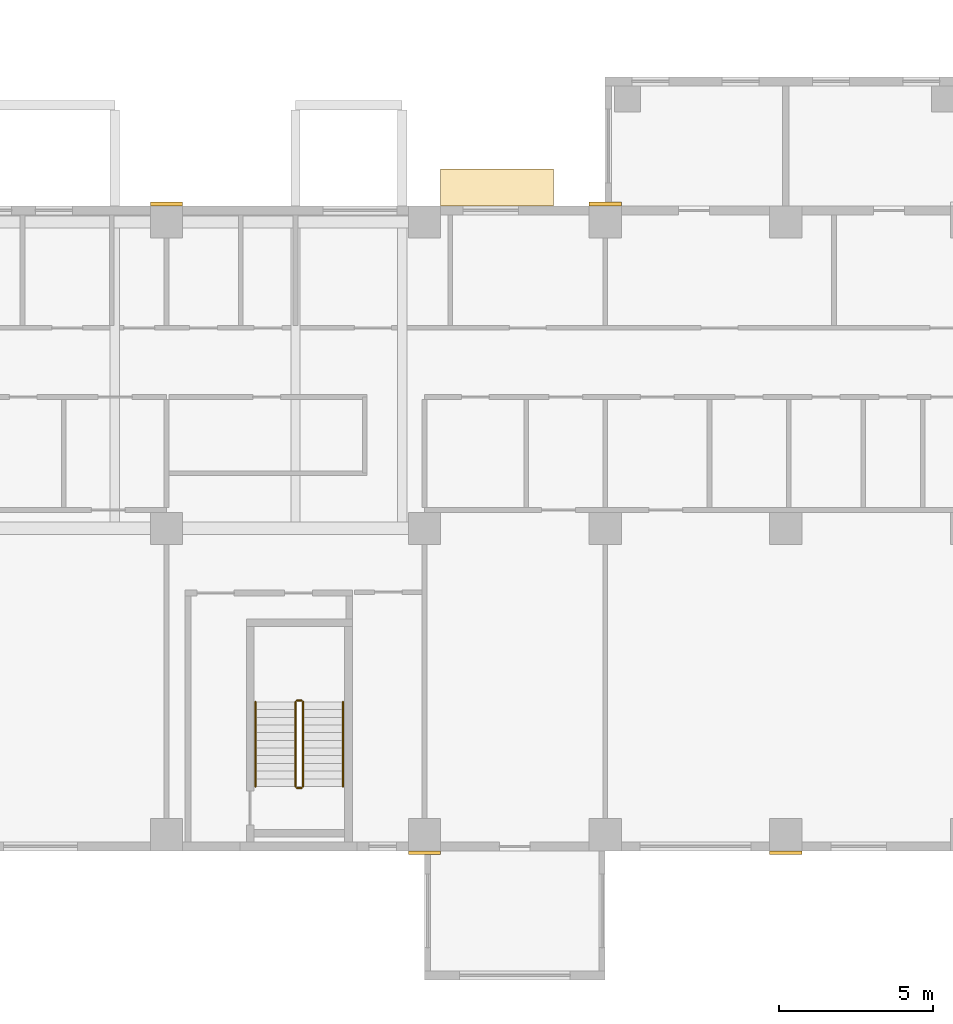
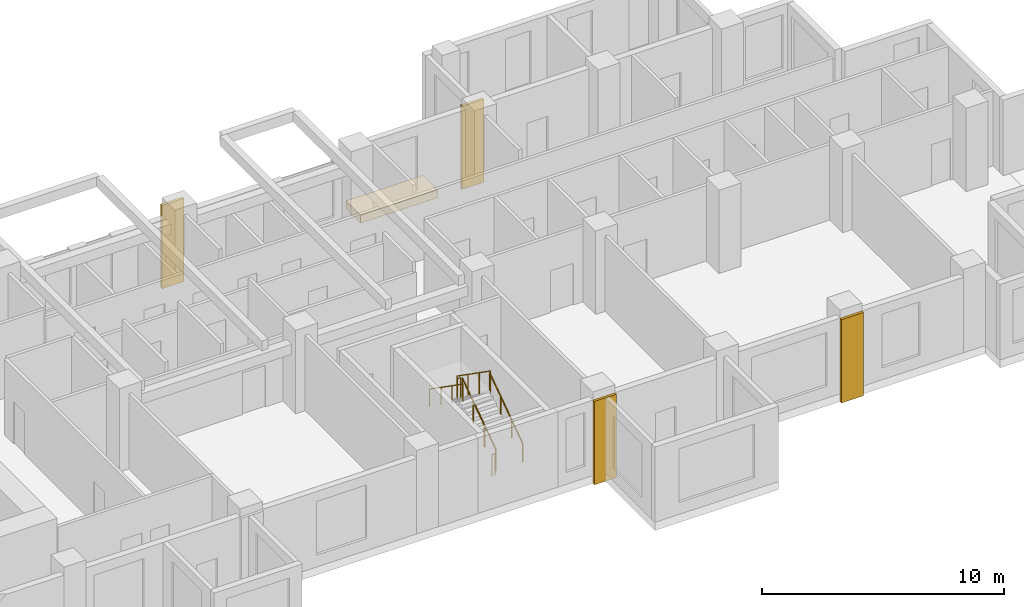
# One storey, part 12 of 14: 6 railings, 5 coverings.
"""IFC4 building model written with IfcOpenShell, lengths in metres."""

from ifc_helpers import new_model, si_unit, direction, frame, origin, origin_2d, place, context, subcontext, project, spatial, polyline, rectangle, circle, outline, extrude, source, transform, mapped, material, type_object, element, save


model = new_model("IFC4")

# Units and contexts
model_context = context("Model", 3, precision=1e-05, world=origin(), true_north=direction((0.0, 1.0)))
body_context = subcontext(model_context, "Body", "Model", "MODEL_VIEW")
ifc_project = project(units=[si_unit("LENGTHUNIT", "METRE"), si_unit("AREAUNIT", "SQUARE_METRE"), si_unit("VOLUMEUNIT", "CUBIC_METRE"), si_unit("PLANEANGLEUNIT", "RADIAN"), si_unit("MASSUNIT", "GRAM", prefix="KILO")], contexts=[model_context])

# Site, building, storey
site_placement = place(None, origin())
site = spatial("IfcSite", under=ifc_project, at=site_placement, CompositionType="ELEMENT")
building_placement = place(site_placement, origin())
building = spatial("IfcBuilding", under=site, at=building_placement, Name="Aurelian Terraces", CompositionType="ELEMENT")
storey_placement = place(building_placement, frame((0.0, 0.0, 132.9)))
storey = spatial("IfcBuildingStorey", under=building, at=storey_placement, Name="L29", CompositionType="ELEMENT", Elevation=132.9)

# Coverings
ifc_material_1 = material(Name="Terracotta rainscreen cladding relief", Category="masonry")
covering_type_1 = type_object("IfcCoveringType", Name="BAGUETTE-TC", PredefinedType="CLADDING", material=ifc_material_1)
shared_shape_1 = source(origin(), body_context, "Body", "SweptSolid", [
    extrude(rectangle(XDim=1.05, YDim=0.12, at=origin_2d()), origin(), (0.0, 0.0, 1.0), 4.2),
])
for number, where, z_axis, x_axis, name in (
    (1, (46.2, -0.06, -0.4), (0.0, 0.0, 1.0), (1.0, 0.0, 0.0), "BAGUETTE pier L29 3"),
    (2, (57.96, -0.06, -0.4), (0.0, 0.0, 1.0), (1.0, 0.0, 0.0), "BAGUETTE pier L29 4"),
    (3, (37.8, 21.06, -0.4), (0.0, 0.0, 1.0), (1.0, 0.0, 0.0), "BAGUETTE pier L29 7"),
    (4, (52.08, 21.06, -0.4), (0.0, 0.0, 1.0), (1.0, 0.0, 0.0), "BAGUETTE pier L29 8"),
):
    element("IfcCovering", number, at=place(storey_placement, frame(where, z_axis=z_axis, x_axis=x_axis)), inside=storey, type_object=covering_type_1, Name=name, PredefinedType="CLADDING", context=body_context, shape_type="MappedRepresentation", body=[
        mapped(shared_shape_1, transform((0.0, 0.0, 0.0), scale=1.0)),
    ])
ifc_material_2 = material(Name="Terracotta roof tiles on membrane", Category="masonry")
covering_type_2 = type_object("IfcCoveringType", Name="Bay roof cover", PredefinedType="ROOFING", material=ifc_material_2)
shared_shape_2 = source(origin(), body_context, "Body", "SweptSolid", [
    extrude(outline(polyline([(46.725, 21.0), (46.725, 22.2), (50.4, 22.2), (50.4, 21.0), (46.725, 21.0)])), origin(), (0.0, 0.0, 1.0), 0.4),
])
covering_placement = place(storey_placement, frame((0.0, 0.0, -0.4)))
element("IfcCovering", 5, at=covering_placement, inside=storey, type_object=covering_type_2, Name="Bay roof L29 46.73_21.00_50.40_22.20", PredefinedType="ROOFING", context=body_context, shape_type="MappedRepresentation", body=[
    mapped(shared_shape_2, transform((0.0, 0.0, 0.0), scale=1.0)),
])

# Railings
ifc_material_3 = material(Name="Stainless steel", Category="steel")
railing_type_1 = type_object("IfcRailingType", Name="Stair guard 1100", PredefinedType="GUARDRAIL", material=ifc_material_3)
shared_shape_3 = source(origin(), body_context, "Body", "SweptSolid", [
    extrude(circle(Radius=0.024, at=origin_2d()), frame((0.0, 0.0, 1.076), z_axis=(-1.0, 0.0, 0.0), x_axis=(0.0, -1.0, 0.0)), (0.0, 0.0, 1.0), 0.15),
    extrude(circle(Radius=0.021, at=origin_2d()), origin(), (0.0, 0.0, 1.0), 1.052),
    extrude(circle(Radius=0.021, at=origin_2d()), frame((-0.15, 0.0, 0.0)), (0.0, 0.0, 1.0), 1.052),
])
for number, where, name in (
    (6, (42.2, 4.9, 2.1), "L29 S2 stair guard 2"),
    (7, (42.2, 2.05, 0.0), "L29 S2 stair guard 4"),
):
    element("IfcRailing", number, at=place(storey_placement, frame(where)), inside=storey, type_object=railing_type_1, Name=name, PredefinedType="GUARDRAIL", context=body_context, shape_type="MappedRepresentation", body=[
        mapped(shared_shape_3, transform((0.0, 0.0, 0.0), scale=1.0)),
    ])
shared_shape_4 = source(origin(), body_context, "Body", "SweptSolid", [
    extrude(circle(Radius=0.024, at=origin_2d()), frame((0.0, 0.0, 1.076), z_axis=(0.0, 0.819231920519, 0.573462344363), x_axis=(-1.0, 0.0, 0.0)), (0.0, 0.0, 1.0), 3.3568),
    extrude(circle(Radius=0.021, at=origin_2d()), origin(), (0.0, 0.0, 1.0), 1.052),
    extrude(circle(Radius=0.021, at=origin_2d()), frame((0.0, 0.9167, 0.6417)), (0.0, 0.0, 1.0), 1.052),
    extrude(circle(Radius=0.021, at=origin_2d()), frame((0.0, 1.8333, 1.2833)), (0.0, 0.0, 1.0), 1.052),
    extrude(circle(Radius=0.021, at=origin_2d()), frame((0.0, 2.75, 1.925)), (0.0, 0.0, 1.0), 1.052),
])
railing_1_placement = place(storey_placement, frame((42.25, 2.1, 0.175)))
element("IfcRailing", 8, at=railing_1_placement, inside=storey, type_object=railing_type_1, Name="L29 S2 stair guard 1", PredefinedType="GUARDRAIL", context=body_context, shape_type="MappedRepresentation", body=[
    mapped(shared_shape_4, transform((0.0, 0.0, 0.0), scale=1.0)),
])
shared_shape_5 = source(origin(), body_context, "Body", "SweptSolid", [
    extrude(circle(Radius=0.024, at=origin_2d()), frame((0.0, 0.0, 1.076), z_axis=(0.0, -0.819231920519, 0.573462344363), x_axis=(1.0, 0.0, 0.0)), (0.0, 0.0, 1.0), 3.3568),
    extrude(circle(Radius=0.021, at=origin_2d()), origin(), (0.0, 0.0, 1.0), 1.052),
    extrude(circle(Radius=0.021, at=origin_2d()), frame((0.0, -0.9167, 0.6417)), (0.0, 0.0, 1.0), 1.052),
    extrude(circle(Radius=0.021, at=origin_2d()), frame((0.0, -1.8333, 1.2833)), (0.0, 0.0, 1.0), 1.052),
    extrude(circle(Radius=0.021, at=origin_2d()), frame((0.0, -2.75, 1.925)), (0.0, 0.0, 1.0), 1.052),
])
railing_2_placement = place(storey_placement, frame((42.0, 4.85, 2.275)))
element("IfcRailing", 9, at=railing_2_placement, inside=storey, type_object=railing_type_1, Name="L29 S2 stair guard 3", PredefinedType="GUARDRAIL", context=body_context, shape_type="MappedRepresentation", body=[
    mapped(shared_shape_5, transform((0.0, 0.0, 0.0), scale=1.0)),
])
railing_type_2 = type_object("IfcRailingType", Name="Stair handrail", PredefinedType="HANDRAIL", material=ifc_material_3)
shared_shape_6 = source(origin(), body_context, "Body", "SweptSolid", [
    extrude(circle(Radius=0.024, at=origin_2d()), frame((0.0, 0.0, 0.876), z_axis=(0.0, 0.819231920519, 0.573462344363), x_axis=(-1.0, 0.0, 0.0)), (0.0, 0.0, 1.0), 3.3568),
    extrude(circle(Radius=0.021, at=origin_2d()), origin(), (0.0, 0.0, 1.0), 0.852),
    extrude(circle(Radius=0.021, at=origin_2d()), frame((0.0, 0.9167, 0.6417)), (0.0, 0.0, 1.0), 0.852),
    extrude(circle(Radius=0.021, at=origin_2d()), frame((0.0, 1.8333, 1.2833)), (0.0, 0.0, 1.0), 0.852),
    extrude(circle(Radius=0.021, at=origin_2d()), frame((0.0, 2.75, 1.925)), (0.0, 0.0, 1.0), 0.852),
])
railing_3_placement = place(storey_placement, frame((43.55, 2.1, 0.175)))
element("IfcRailing", 10, at=railing_3_placement, inside=storey, type_object=railing_type_2, Name="L29 S2 stair handrail 1", PredefinedType="HANDRAIL", context=body_context, shape_type="MappedRepresentation", body=[
    mapped(shared_shape_6, transform((0.0, 0.0, 0.0), scale=1.0)),
])
shared_shape_7 = source(origin(), body_context, "Body", "SweptSolid", [
    extrude(circle(Radius=0.024, at=origin_2d()), frame((0.0, 0.0, 0.876), z_axis=(0.0, -0.819231920519, 0.573462344363), x_axis=(1.0, 0.0, 0.0)), (0.0, 0.0, 1.0), 3.3568),
    extrude(circle(Radius=0.021, at=origin_2d()), origin(), (0.0, 0.0, 1.0), 0.852),
    extrude(circle(Radius=0.021, at=origin_2d()), frame((0.0, -0.9167, 0.6417)), (0.0, 0.0, 1.0), 0.852),
    extrude(circle(Radius=0.021, at=origin_2d()), frame((0.0, -1.8333, 1.2833)), (0.0, 0.0, 1.0), 0.852),
    extrude(circle(Radius=0.021, at=origin_2d()), frame((0.0, -2.75, 1.925)), (0.0, 0.0, 1.0), 0.852),
])
railing_4_placement = place(storey_placement, frame((40.7, 4.85, 2.275)))
element("IfcRailing", 11, at=railing_4_placement, inside=storey, type_object=railing_type_2, Name="L29 S2 stair handrail 2", PredefinedType="HANDRAIL", context=body_context, shape_type="MappedRepresentation", body=[
    mapped(shared_shape_7, transform((0.0, 0.0, 0.0), scale=1.0)),
])

save(model, "model.ifc")
